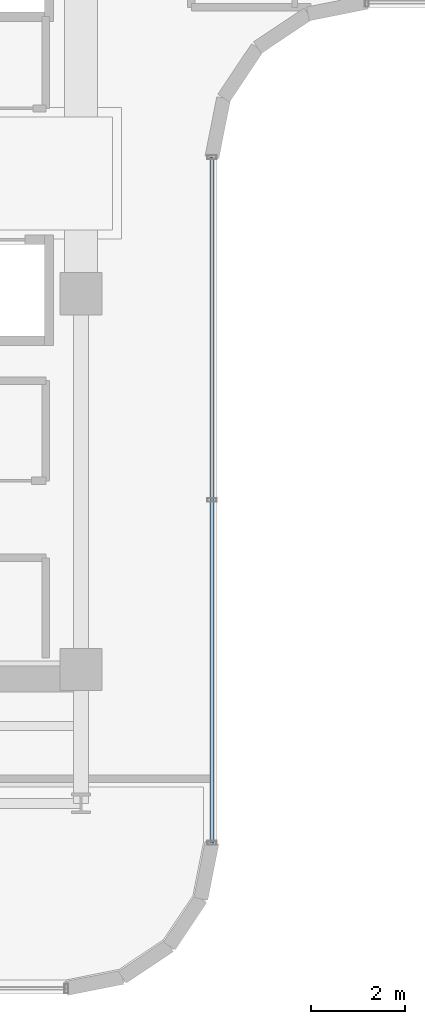
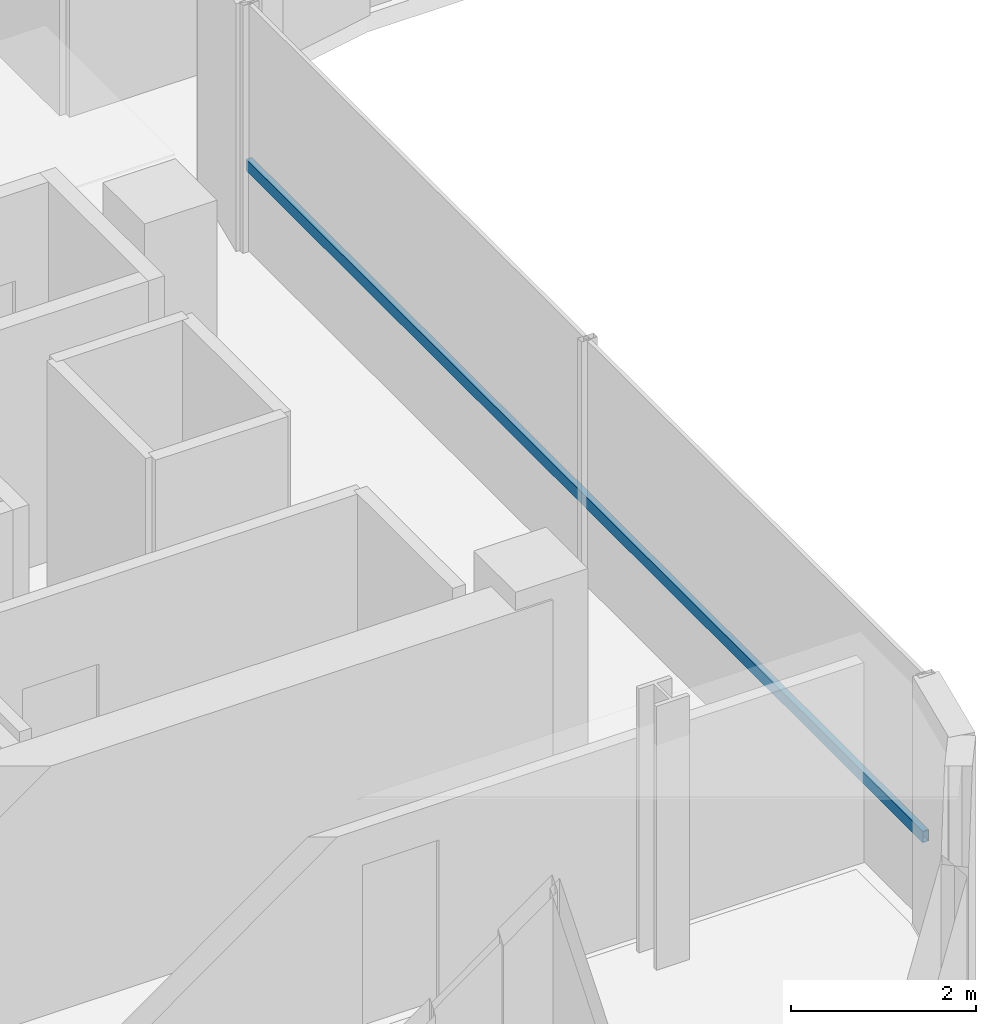
# One storey, part 6 of 22: 1 member, 1 element without a shape of its own.
"""IFC4 building model written with IfcOpenShell, lengths in metres."""

from ifc_helpers import new_model, si_unit, direction, frame, origin, origin_2d, place, context, subcontext, project, spatial, hollow_rectangle, extrude, source, transform, mapped, material, material_profile, profile_set, type_object, element, aggregate, save


model = new_model("IFC4")

# Units and contexts
model_context = context("Model", 3, precision=1e-05, world=origin(), true_north=direction((0.0, 1.0)))
body_context = subcontext(model_context, "Body", "Model", "MODEL_VIEW")
ifc_project = project(units=[si_unit("LENGTHUNIT", "METRE"), si_unit("AREAUNIT", "SQUARE_METRE"), si_unit("VOLUMEUNIT", "CUBIC_METRE"), si_unit("PLANEANGLEUNIT", "RADIAN"), si_unit("MASSUNIT", "GRAM", prefix="KILO")], contexts=[model_context])

# Site, building, storey
site_placement = place(None, origin())
site = spatial("IfcSite", under=ifc_project, at=site_placement, CompositionType="ELEMENT")
building_placement = place(site_placement, origin())
building = spatial("IfcBuilding", under=site, at=building_placement, Name="Valdorenza Pilgrim Sanctuary Tower", CompositionType="ELEMENT")
storey_placement = place(building_placement, frame((0.0, 0.0, 212.5)))
storey = spatial("IfcBuildingStorey", under=building, at=storey_placement, Name="L54", CompositionType="ELEMENT", Elevation=212.5)

# Curtain wall, member
ifc_material_1 = material(Name="Curtain-wall IGU glazing", Category="glass")
curtain_wall_type = type_object("IfcCurtainWallType", Name="CW-SYS-02", PredefinedType="NOTDEFINED", material=ifc_material_1)
curtain_wall_placement = place(storey_placement, origin())
curtain_wall = element("IfcCurtainWall", 1, at=curtain_wall_placement, inside=storey, type_object=curtain_wall_type, Name="L54 Curtain Wall CW-L54-1-21", PredefinedType="NOTDEFINED")
ifc_material_2 = material(Name="Anodised aluminium AW-6060", Category="aluminium")
ifc_material_profile = material_profile(ifc_material_2, hollow_rectangle(XDim=0.074951171875, YDim=0.14990234375, WallThickness=0.00390625, at=origin_2d()), Name="ALU-T 150x75x4")
ifc_profile_set = profile_set([ifc_material_profile], Name="Anodised aluminium AW-6060")
member_type = type_object("IfcMemberType", Name="CW-TRN-02", PredefinedType="USERDEFINED", material=ifc_profile_set)
shared_shape = source(origin(), body_context, "Body", "SweptSolid", [
    extrude(hollow_rectangle(XDim=0.074951171875, YDim=0.14990234375, WallThickness=0.00390625, at=origin_2d()), origin(), (0.0, 0.0, 1.0), 14.60009765625),
])
member_placement = place(storey_placement, frame((-9.610107421875, 0.310791015625, 1.1201171875), z_axis=(0.0, -1.0, 0.0), x_axis=(1.0, 0.0, 0.0)))
member = element("IfcMember", 2, at=member_placement, type_object=member_type, Name="CW-L54-1-21 Transom 1", ObjectType="TRANSOM", PredefinedType="USERDEFINED", context=body_context, shape_type="MappedRepresentation", body=[
    mapped(shared_shape, transform((0.0, 0.0, 0.0), x_axis=(1.0, 0.0, 0.0), y_axis=(0.0, 1.0, 0.0), z_axis=(0.0, 0.0, 1.0), scale=1.0)),
])
aggregate(curtain_wall, [member])

save(model, "model.ifc")
